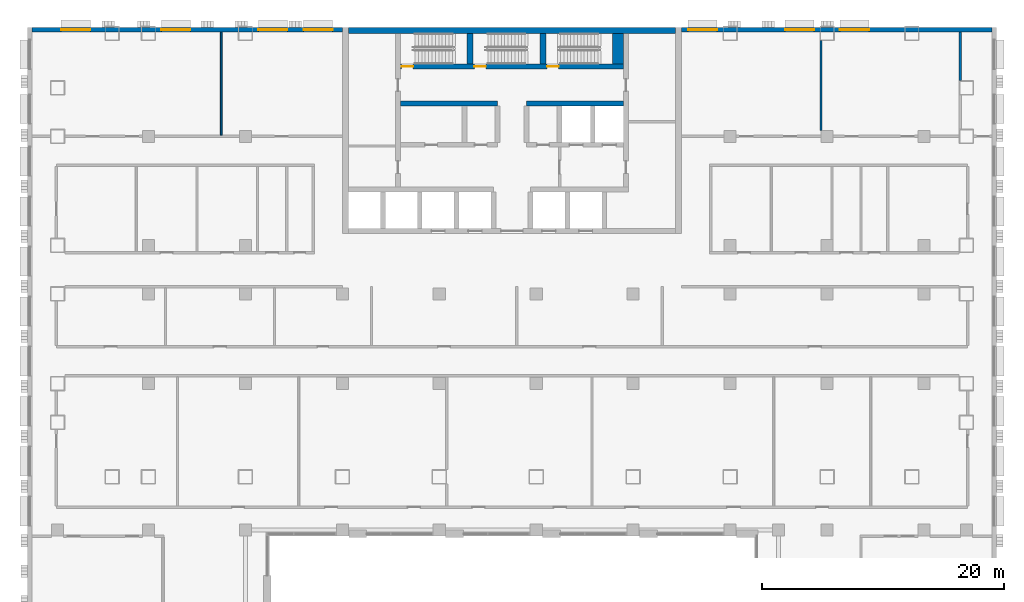
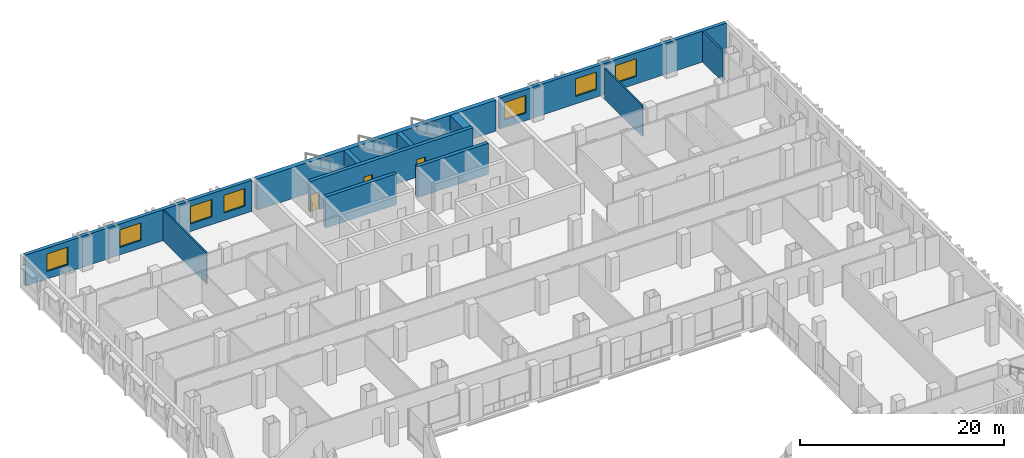
# One storey, part 16 of 26: 12 walls, 7 windows, 3 doors, 10 openings.
"""IFC4 building model written with IfcOpenShell, lengths in metres."""

from ifc_helpers import new_model, si_unit, direction, frame, frame_2d, origin, place, context, subcontext, project, spatial, rectangle, extrude, material, layer, layer_set, type_object, element, fill, save


model = new_model("IFC4")

# Units and contexts
model_context = context("Model", 3, precision=1e-05, world=origin(), true_north=direction((0.0, 1.0)))
body_context = subcontext(model_context, "Body", "Model", "MODEL_VIEW")
ifc_project = project(units=[si_unit("LENGTHUNIT", "METRE"), si_unit("AREAUNIT", "SQUARE_METRE"), si_unit("VOLUMEUNIT", "CUBIC_METRE"), si_unit("PLANEANGLEUNIT", "RADIAN"), si_unit("MASSUNIT", "GRAM", prefix="KILO")], contexts=[model_context])

# Site, building, storey
site_placement = place(None, origin())
site = spatial("IfcSite", under=ifc_project, at=site_placement, CompositionType="ELEMENT")
building_placement = place(site_placement, origin())
building = spatial("IfcBuilding", under=site, at=building_placement, Name="Vidyagriha Tower", CompositionType="ELEMENT")
storey_placement = place(building_placement, frame((0.0, 0.0, 6.0)))
storey = spatial("IfcBuildingStorey", under=building, at=storey_placement, Name="L01", CompositionType="ELEMENT", Elevation=6.0)

# Wall, openings, windows
ifc_material_1 = material(Name="Concrete C40/50 board-marked with brick facing", Category="concrete")
ifc_layer_1 = layer(ifc_material_1, 0.39990234375)
ifc_layer_set_1 = layer_set([ifc_layer_1], Name="Concrete C40/50 board-marked with brick facing")
wall_type_1 = type_object("IfcWallType", Name="Brick-faced board-marked concrete podium wall 400", PredefinedType="STANDARD", material=ifc_layer_set_1)
wall_1_placement = place(storey_placement, frame((39.60009765625, 19.800048828125, 0.0), z_axis=(0.0, 0.0, 1.0), x_axis=(-1.0, 0.0, 0.0)))
wall_1 = element("IfcWall", 1, at=wall_1_placement, inside=storey, type_object=wall_type_1, Name="Podium wall L01 R02", PredefinedType="STANDARD", context=body_context, shape_type="SweptSolid", body=[
    extrude(rectangle(XDim=25.60009765625, YDim=0.39990234375, at=frame_2d((12.800048828125, 0.0))), origin(), (0.0, 0.0, 1.0), 3.699951171875),
])
opening_1_placement = place(wall_1_placement, frame((10.135009765625, 0.0, 0.89990234375)))
opening_1 = element("IfcOpeningElement", 2, at=opening_1_placement, cuts=wall_1, Name="Opening WN3", PredefinedType="OPENING", context=body_context, shape_type="SweptSolid", body=[
    extrude(rectangle(XDim=2.39990234375, YDim=2.10009765625, at=frame_2d((1.199951171875, 1.050048828125))), frame((0.0, 0.2099609375, 0.0), z_axis=(0.0, -1.0, 0.0), x_axis=(1.0, 0.0, 0.0)), (0.0, 0.0, 1.0), 0.419921875),
])
opening_2_placement = place(wall_1_placement, frame((14.6650390625, 0.0, 0.89990234375)))
opening_2 = element("IfcOpeningElement", 3, at=opening_2_placement, cuts=wall_1, Name="Opening WN3", PredefinedType="OPENING", context=body_context, shape_type="SweptSolid", body=[
    extrude(rectangle(XDim=2.39990234375, YDim=2.10009765625, at=frame_2d((1.199951171875, 1.050048828125))), frame((0.0, 0.2099609375, 0.0), z_axis=(0.0, -1.0, 0.0), x_axis=(1.0, 0.0, 0.0)), (0.0, 0.0, 1.0), 0.419921875),
])
opening_3_placement = place(wall_1_placement, frame((22.6650390625, 0.0, 0.89990234375)))
opening_3 = element("IfcOpeningElement", 4, at=opening_3_placement, cuts=wall_1, Name="Opening WN3", PredefinedType="OPENING", context=body_context, shape_type="SweptSolid", body=[
    extrude(rectangle(XDim=2.39990234375, YDim=2.10009765625, at=frame_2d((1.199951171875, 1.050048828125))), frame((0.0, 0.2099609375, 0.0), z_axis=(0.0, -1.0, 0.0), x_axis=(1.0, 0.0, 0.0)), (0.0, 0.0, 1.0), 0.419921875),
])
ifc_material_2 = material(Name="Aluminium and glass window", Category="aluminium")
window_type = type_object("IfcWindowType", Name="Podium school window 2400x2100", PartitioningType="NOTDEFINED", PredefinedType="WINDOW", material=ifc_material_2)
window_1_placement = place(opening_1_placement, origin())
window_1 = element("IfcWindow", 5, at=window_1_placement, inside=storey, type_object=window_type, Name="School window L01 R02.8", OverallHeight=2.10009765625, OverallWidth=2.39990234375, PartitioningType="SINGLE_PANEL", PredefinedType="WINDOW", context=body_context, shape_type="SweptSolid", body=[
    extrude(rectangle(XDim=2.39990234375, YDim=2.10009765625, at=frame_2d((1.199951171875, 1.050048828125))), frame((0.0, 0.030029296875, 0.0), z_axis=(0.0, -1.0, 0.0), x_axis=(1.0, 0.0, 0.0)), (0.0, 0.0, 1.0), 0.06005859375),
])
fill(opening_1, window_1)
window_2_placement = place(opening_2_placement, origin())
window_2 = element("IfcWindow", 6, at=window_2_placement, inside=storey, type_object=window_type, Name="School window L01 R02.10", OverallHeight=2.10009765625, OverallWidth=2.39990234375, PartitioningType="SINGLE_PANEL", PredefinedType="WINDOW", context=body_context, shape_type="SweptSolid", body=[
    extrude(rectangle(XDim=2.39990234375, YDim=2.10009765625, at=frame_2d((1.199951171875, 1.050048828125))), frame((0.0, 0.030029296875, 0.0), z_axis=(0.0, -1.0, 0.0), x_axis=(1.0, 0.0, 0.0)), (0.0, 0.0, 1.0), 0.06005859375),
])
fill(opening_2, window_2)
window_3_placement = place(opening_3_placement, origin())
window_3 = element("IfcWindow", 7, at=window_3_placement, inside=storey, type_object=window_type, Name="School window L01 R02.14", OverallHeight=2.10009765625, OverallWidth=2.39990234375, PartitioningType="SINGLE_PANEL", PredefinedType="WINDOW", context=body_context, shape_type="SweptSolid", body=[
    extrude(rectangle(XDim=2.39990234375, YDim=2.10009765625, at=frame_2d((1.199951171875, 1.050048828125))), frame((0.0, 0.030029296875, 0.0), z_axis=(0.0, -1.0, 0.0), x_axis=(1.0, 0.0, 0.0)), (0.0, 0.0, 1.0), 0.06005859375),
])
fill(opening_3, window_3)

wall_2_placement = place(storey_placement, frame((-14.0, 19.800048828125, 0.0), z_axis=(0.0, 0.0, 1.0), x_axis=(-1.0, 0.0, 0.0)))
wall_2 = element("IfcWall", 8, at=wall_2_placement, inside=storey, type_object=wall_type_1, Name="Podium wall L01 R04", PredefinedType="STANDARD", context=body_context, shape_type="SweptSolid", body=[
    extrude(rectangle(XDim=25.60009765625, YDim=0.39990234375, at=frame_2d((12.800048828125, 0.0))), origin(), (0.0, 0.0, 1.0), 3.699951171875),
])
opening_4_placement = place(wall_2_placement, frame((0.800048828125, 0.0, 0.89990234375)))
opening_4 = element("IfcOpeningElement", 9, at=opening_4_placement, cuts=wall_2, Name="Opening WN3", PredefinedType="OPENING", context=body_context, shape_type="SweptSolid", body=[
    extrude(rectangle(XDim=2.39990234375, YDim=2.10009765625, at=frame_2d((1.199951171875, 1.050048828125))), frame((0.0, 0.2099609375, 0.0), z_axis=(0.0, -1.0, 0.0), x_axis=(1.0, 0.0, 0.0)), (0.0, 0.0, 1.0), 0.419921875),
])
opening_5_placement = place(wall_2_placement, frame((4.534912109375, 0.0, 0.89990234375)))
opening_5 = element("IfcOpeningElement", 10, at=opening_5_placement, cuts=wall_2, Name="Opening WN3", PredefinedType="OPENING", context=body_context, shape_type="SweptSolid", body=[
    extrude(rectangle(XDim=2.39990234375, YDim=2.10009765625, at=frame_2d((1.199951171875, 1.050048828125))), frame((0.0, 0.2099609375, 0.0), z_axis=(0.0, -1.0, 0.0), x_axis=(1.0, 0.0, 0.0)), (0.0, 0.0, 1.0), 0.419921875),
])
opening_6_placement = place(wall_2_placement, frame((12.534912109375, 0.0, 0.89990234375)))
opening_6 = element("IfcOpeningElement", 11, at=opening_6_placement, cuts=wall_2, Name="Opening WN3", PredefinedType="OPENING", context=body_context, shape_type="SweptSolid", body=[
    extrude(rectangle(XDim=2.39990234375, YDim=2.10009765625, at=frame_2d((1.199951171875, 1.050048828125))), frame((0.0, 0.2099609375, 0.0), z_axis=(0.0, -1.0, 0.0), x_axis=(1.0, 0.0, 0.0)), (0.0, 0.0, 1.0), 0.419921875),
])
opening_7_placement = place(wall_2_placement, frame((20.800048828125, 0.0, 0.89990234375)))
opening_7 = element("IfcOpeningElement", 12, at=opening_7_placement, cuts=wall_2, Name="Opening WN3", PredefinedType="OPENING", context=body_context, shape_type="SweptSolid", body=[
    extrude(rectangle(XDim=2.39990234375, YDim=2.10009765625, at=frame_2d((1.199951171875, 1.050048828125))), frame((0.0, 0.2099609375, 0.0), z_axis=(0.0, -1.0, 0.0), x_axis=(1.0, 0.0, 0.0)), (0.0, 0.0, 1.0), 0.419921875),
])
window_4_placement = place(opening_4_placement, origin())
window_4 = element("IfcWindow", 13, at=window_4_placement, inside=storey, type_object=window_type, Name="School window L01 R04.1", OverallHeight=2.10009765625, OverallWidth=2.39990234375, PartitioningType="SINGLE_PANEL", PredefinedType="WINDOW", context=body_context, shape_type="SweptSolid", body=[
    extrude(rectangle(XDim=2.39990234375, YDim=2.10009765625, at=frame_2d((1.199951171875, 1.050048828125))), frame((0.0, 0.030029296875, 0.0), z_axis=(0.0, -1.0, 0.0), x_axis=(1.0, 0.0, 0.0)), (0.0, 0.0, 1.0), 0.06005859375),
])
fill(opening_4, window_4)
window_5_placement = place(opening_5_placement, origin())
window_5 = element("IfcWindow", 14, at=window_5_placement, inside=storey, type_object=window_type, Name="School window L01 R04.2", OverallHeight=2.10009765625, OverallWidth=2.39990234375, PartitioningType="SINGLE_PANEL", PredefinedType="WINDOW", context=body_context, shape_type="SweptSolid", body=[
    extrude(rectangle(XDim=2.39990234375, YDim=2.10009765625, at=frame_2d((1.199951171875, 1.050048828125))), frame((0.0, 0.030029296875, 0.0), z_axis=(0.0, -1.0, 0.0), x_axis=(1.0, 0.0, 0.0)), (0.0, 0.0, 1.0), 0.06005859375),
])
fill(opening_5, window_5)
window_6_placement = place(opening_6_placement, origin())
window_6 = element("IfcWindow", 15, at=window_6_placement, inside=storey, type_object=window_type, Name="School window L01 R04.6", OverallHeight=2.10009765625, OverallWidth=2.39990234375, PartitioningType="SINGLE_PANEL", PredefinedType="WINDOW", context=body_context, shape_type="SweptSolid", body=[
    extrude(rectangle(XDim=2.39990234375, YDim=2.10009765625, at=frame_2d((1.199951171875, 1.050048828125))), frame((0.0, 0.030029296875, 0.0), z_axis=(0.0, -1.0, 0.0), x_axis=(1.0, 0.0, 0.0)), (0.0, 0.0, 1.0), 0.06005859375),
])
fill(opening_6, window_6)
window_7_placement = place(opening_7_placement, origin())
window_7 = element("IfcWindow", 16, at=window_7_placement, inside=storey, type_object=window_type, Name="School window L01 R04.12", OverallHeight=2.10009765625, OverallWidth=2.39990234375, PartitioningType="SINGLE_PANEL", PredefinedType="WINDOW", context=body_context, shape_type="SweptSolid", body=[
    extrude(rectangle(XDim=2.39990234375, YDim=2.10009765625, at=frame_2d((1.199951171875, 1.050048828125))), frame((0.0, 0.030029296875, 0.0), z_axis=(0.0, -1.0, 0.0), x_axis=(1.0, 0.0, 0.0)), (0.0, 0.0, 1.0), 0.06005859375),
])
fill(opening_7, window_7)

# Walls
ifc_material_3 = material(Name="Concrete C60/75", Category="concrete")
ifc_layer_2 = layer(ifc_material_3, 0.39990234375)
ifc_layer_set_2 = layer_set([ifc_layer_2], Name="Concrete C60/75")
wall_type_2 = type_object("IfcWallType", Name="Core shear wall 400 mm", PredefinedType="SHEAR", material=ifc_layer_set_2)
for number, where, name in (
    (17, (-9.199951171875, 13.699951171875, 0.0), "Core row N rear wall"),
    (18, (1.199951171875, 13.699951171875, 0.0), "Core row N rear wall"),
):
    element("IfcWall", number, at=place(storey_placement, frame(where)), inside=storey, type_object=wall_type_2, Name=name, PredefinedType="SHEAR", context=body_context, shape_type="SweptSolid", body=[
        extrude(rectangle(XDim=8.0, YDim=0.39990234375, at=frame_2d((4.0, 0.0))), origin(), (0.0, 0.0, 1.0), 3.699951171875),
    ])

# Wall, openings, doors
wall_3_placement = place(storey_placement, frame((-9.199951171875, 16.75, 0.0)))
wall_3 = element("IfcWall", 19, at=wall_3_placement, inside=storey, type_object=wall_type_2, Name="Stair front wall", PredefinedType="SHEAR", context=body_context, shape_type="SweptSolid", body=[
    extrude(rectangle(XDim=18.39990234375, YDim=0.39990234375, at=frame_2d((9.199951171875, 0.0))), origin(), (0.0, 0.0, 1.0), 3.699951171875),
])
opening_8_placement = place(wall_3_placement, frame((0.10009765625, 0.0, 0.0)))
opening_8 = element("IfcOpeningElement", 20, at=opening_8_placement, cuts=wall_3, Name="Opening D01-06", PredefinedType="OPENING", context=body_context, shape_type="SweptSolid", body=[
    extrude(rectangle(XDim=0.949951171875, YDim=2.10009765625, at=frame_2d((0.47509765625, 1.050048828125))), frame((0.0, 0.2099609375, 0.0), z_axis=(0.0, -1.0, 0.0), x_axis=(1.0, 0.0, 0.0)), (0.0, 0.0, 1.0), 0.419921875),
])
opening_9_placement = place(wall_3_placement, frame((6.10009765625, 0.0, 0.0)))
opening_9 = element("IfcOpeningElement", 21, at=opening_9_placement, cuts=wall_3, Name="Opening D01-07", PredefinedType="OPENING", context=body_context, shape_type="SweptSolid", body=[
    extrude(rectangle(XDim=0.949951171875, YDim=2.10009765625, at=frame_2d((0.47509765625, 1.050048828125))), frame((0.0, 0.2099609375, 0.0), z_axis=(0.0, -1.0, 0.0), x_axis=(1.0, 0.0, 0.0)), (0.0, 0.0, 1.0), 0.419921875),
])
opening_10_placement = place(wall_3_placement, frame((12.10009765625, 0.0, 0.0)))
opening_10 = element("IfcOpeningElement", 22, at=opening_10_placement, cuts=wall_3, Name="Opening D01-08", PredefinedType="OPENING", context=body_context, shape_type="SweptSolid", body=[
    extrude(rectangle(XDim=0.949951171875, YDim=2.10009765625, at=frame_2d((0.47509765625, 1.050048828125))), frame((0.0, 0.2099609375, 0.0), z_axis=(0.0, -1.0, 0.0), x_axis=(1.0, 0.0, 0.0)), (0.0, 0.0, 1.0), 0.419921875),
])
ifc_material_4 = material(Name="Hollow metal door leaf")
door_type = type_object("IfcDoorType", Name="Exit stair door 950 x 2100 mm EI 90", OperationType="NOTDEFINED", PredefinedType="DOOR", material=ifc_material_4)
door_1_placement = place(opening_8_placement, origin())
door_1 = element("IfcDoor", 23, at=door_1_placement, inside=storey, type_object=door_type, Name="Stair door ST1 L01", OperationType="SINGLE_SWING_LEFT", OverallHeight=2.10009765625, OverallWidth=0.949951171875, PredefinedType="DOOR", context=body_context, shape_type="SweptSolid", body=[
    extrude(rectangle(XDim=0.949951171875, YDim=2.10009765625, at=frame_2d((0.47509765625, 1.050048828125))), frame((0.0, 0.02490234375, 0.0), z_axis=(0.0, -1.0, 0.0), x_axis=(1.0, 0.0, 0.0)), (0.0, 0.0, 1.0), 0.050048828125),
])
fill(opening_8, door_1)
door_2_placement = place(opening_9_placement, origin())
door_2 = element("IfcDoor", 24, at=door_2_placement, inside=storey, type_object=door_type, Name="Stair door ST2 L01", OperationType="SINGLE_SWING_LEFT", OverallHeight=2.10009765625, OverallWidth=0.949951171875, PredefinedType="DOOR", context=body_context, shape_type="SweptSolid", body=[
    extrude(rectangle(XDim=0.949951171875, YDim=2.10009765625, at=frame_2d((0.47509765625, 1.050048828125))), frame((0.0, 0.02490234375, 0.0), z_axis=(0.0, -1.0, 0.0), x_axis=(1.0, 0.0, 0.0)), (0.0, 0.0, 1.0), 0.050048828125),
])
fill(opening_9, door_2)
door_3_placement = place(opening_10_placement, origin())
door_3 = element("IfcDoor", 25, at=door_3_placement, inside=storey, type_object=door_type, Name="Stair door ST3 L01", OperationType="SINGLE_SWING_LEFT", OverallHeight=2.10009765625, OverallWidth=0.949951171875, PredefinedType="DOOR", context=body_context, shape_type="SweptSolid", body=[
    extrude(rectangle(XDim=0.949951171875, YDim=2.10009765625, at=frame_2d((0.47509765625, 1.050048828125))), frame((0.0, 0.02490234375, 0.0), z_axis=(0.0, -1.0, 0.0), x_axis=(1.0, 0.0, 0.0)), (0.0, 0.0, 1.0), 0.050048828125),
])
fill(opening_10, door_3)

# Walls
ifc_material_5 = material(Name="Concrete C60/75", Category="concrete")
ifc_layer_3 = layer(ifc_material_5, 0.5)
ifc_layer_set_3 = layer_set([ifc_layer_3], Name="Concrete C60/75")
wall_type_3 = type_object("IfcWallType", Name="Core shear wall 500 mm", PredefinedType="SHEAR", material=ifc_layer_set_3)
for number, where, z_axis, x_axis, name in (
    (26, (-3.449951171875, 16.949951171875, 0.0), (0.0, 0.0, 1.0), (0.0, 1.0, 0.0), "Stair partition wall 1"),
    (27, (2.550048828125, 16.949951171875, 0.0), (0.0, 0.0, 1.0), (0.0, 1.0, 0.0), "Stair partition wall 2"),
):
    element("IfcWall", number, at=place(storey_placement, frame(where, z_axis=z_axis, x_axis=x_axis)), inside=storey, type_object=wall_type_3, Name=name, PredefinedType="SHEAR", context=body_context, shape_type="SweptSolid", body=[
        extrude(rectangle(XDim=2.550048828125, YDim=0.5, at=frame_2d((1.27490234375, 0.0))), origin(), (0.0, 0.0, 1.0), 3.699951171875),
    ])
ifc_material_6 = material(Name="Concrete C60/75 with brick facing", Category="concrete")
ifc_layer_4 = layer(ifc_material_6, 0.5)
ifc_layer_set_4 = layer_set([ifc_layer_4], Name="Concrete C60/75 with brick facing")
wall_type_4 = type_object("IfcWallType", Name="Core shear wall 500 mm, brick-faced", PredefinedType="SHEAR", material=ifc_layer_set_4)
wall_4_placement = place(storey_placement, frame((-13.5, 19.75, 0.0)))
element("IfcWall", 28, at=wall_4_placement, inside=storey, type_object=wall_type_4, Name="Core north wall", PredefinedType="SHEAR", context=body_context, shape_type="SweptSolid", body=[
    extrude(rectangle(XDim=27.0, YDim=0.5, at=frame_2d((13.5, 0.0))), origin(), (0.0, 0.0, 1.0), 3.699951171875),
])
ifc_material_7 = material(Name="Concrete C60/75", Category="concrete")
ifc_layer_5 = layer(ifc_material_7, 0.89990234375)
ifc_layer_set_5 = layer_set([ifc_layer_5], Name="Concrete C60/75")
wall_type_5 = type_object("IfcWallType", Name="Core shear wall 900 mm", PredefinedType="SHEAR", material=ifc_layer_set_5)
wall_5_placement = place(storey_placement, frame((8.75, 16.949951171875, 0.0), z_axis=(0.0, 0.0, 1.0), x_axis=(0.0, 1.0, 0.0)))
element("IfcWall", 29, at=wall_5_placement, inside=storey, type_object=wall_type_5, Name="Stair end wall", PredefinedType="SHEAR", context=body_context, shape_type="SweptSolid", body=[
    extrude(rectangle(XDim=2.550048828125, YDim=0.89990234375, at=frame_2d((1.27490234375, 0.0))), origin(), (0.0, 0.0, 1.0), 3.699951171875),
])
ifc_material_8 = material(Name="Fire rated gypsum board on light gauge framing")
ifc_layer_6 = layer(ifc_material_8, 0.199951171875)
ifc_layer_set_6 = layer_set([ifc_layer_6], Name="Fire rated gypsum board on light gauge framing")
wall_type_6 = type_object("IfcWallType", Name="Fire Rated Corridor Wall 200", PredefinedType="PARTITIONING", material=ifc_layer_set_6)
wall_6_placement = place(storey_placement, frame((37.0, 15.60009765625, 0.0), z_axis=(0.0, 0.0, 1.0), x_axis=(0.0, 1.0, 0.0)))
element("IfcWall", 30, at=wall_6_placement, inside=storey, type_object=wall_type_6, Name="L01 Fire Rated Corridor Wall 200 078", PredefinedType="PARTITIONING", context=body_context, shape_type="SweptSolid", body=[
    extrude(rectangle(XDim=3.999755859375, YDim=0.199951171875, at=frame_2d((2.0, 0.0))), origin(), (0.0, 0.0, 1.0), 3.699951171875),
])
ifc_material_9 = material(Name="Gypsum board on light gauge framing")
ifc_layer_7 = layer(ifc_material_9, 0.14990234375)
ifc_layer_set_7 = layer_set([ifc_layer_7], Name="Gypsum board on light gauge framing")
wall_type_7 = type_object("IfcWallType", Name="Gypsum Board Partition 150", PredefinedType="PARTITIONING", material=ifc_layer_set_7)
wall_7_placement = place(storey_placement, frame((-24.0, 11.10009765625, 0.0), z_axis=(0.0, 0.0, 1.0), x_axis=(0.0, 1.0, 0.0)))
element("IfcWall", 31, at=wall_7_placement, inside=storey, type_object=wall_type_7, Name="L01 Gypsum Board Partition 150 050", PredefinedType="PARTITIONING", context=body_context, shape_type="SweptSolid", body=[
    extrude(rectangle(XDim=8.499755859375, YDim=0.14990234375, at=frame_2d((4.25, 0.0))), origin(), (0.0, 0.0, 1.0), 3.699951171875),
])
wall_8_placement = place(storey_placement, frame((25.5, 11.5, 0.0), z_axis=(0.0, 0.0, 1.0), x_axis=(0.0, 1.0, 0.0)))
element("IfcWall", 32, at=wall_8_placement, inside=storey, type_object=wall_type_7, Name="L01 Gypsum Board Partition 150 070", PredefinedType="PARTITIONING", context=body_context, shape_type="SweptSolid", body=[
    extrude(rectangle(XDim=7.39990234375, YDim=0.14990234375, at=frame_2d((3.699951171875, 0.0))), origin(), (0.0, 0.0, 1.0), 3.699951171875),
])

save(model, "model.ifc")
